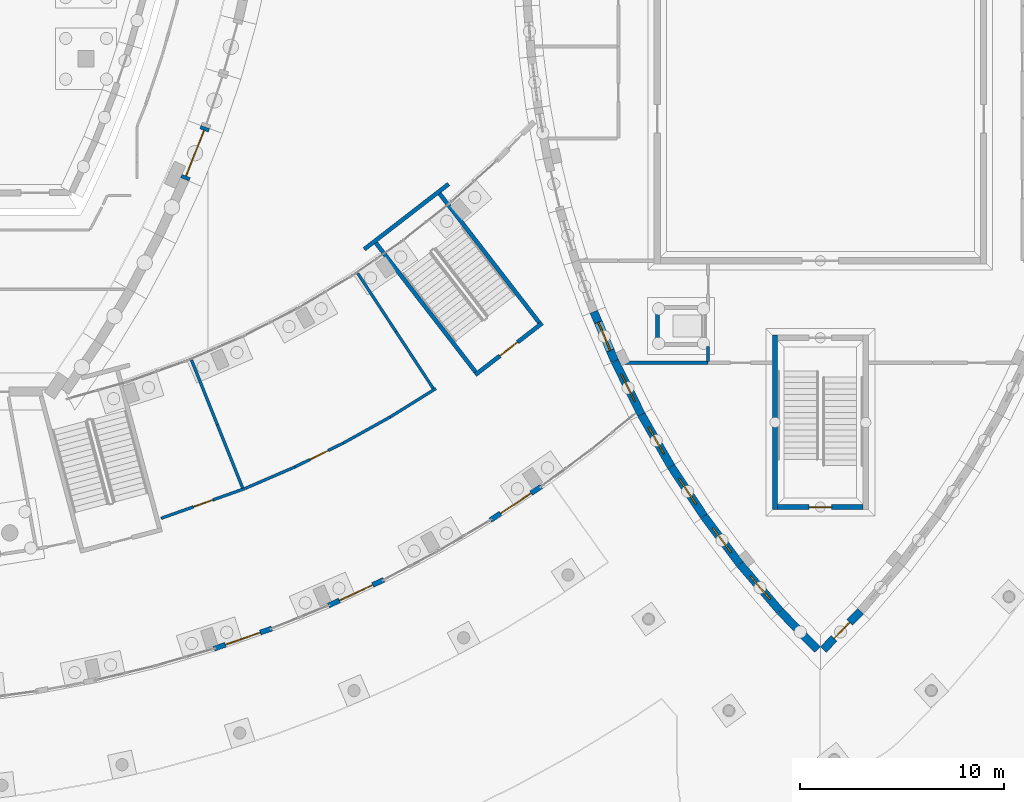
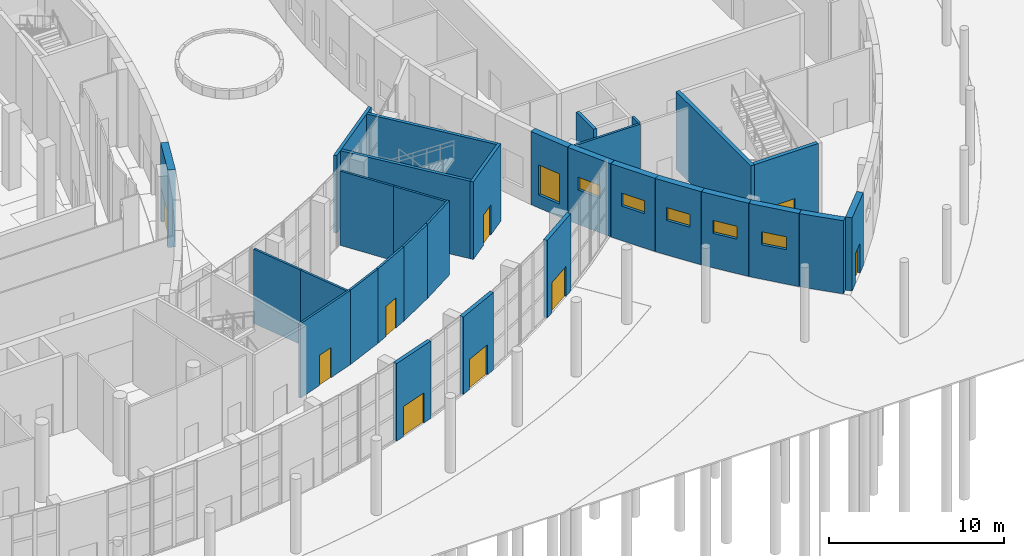
# One storey, part 49 of 82: 30 walls, 9 doors, 6 windows, 15 openings.
"""IFC4 building model written with IfcOpenShell, lengths in metres."""

from ifc_helpers import new_model, si_unit, direction, frame, frame_2d, origin, place, context, subcontext, project, spatial, rectangle, extrude, material, layer, layer_set, type_object, element, fill, save


model = new_model("IFC4")

# Units and contexts
model_context = context("Model", 3, precision=1e-05, world=origin(), true_north=direction((0.0, 1.0)))
body_context = subcontext(model_context, "Body", "Model", "MODEL_VIEW")
ifc_project = project(units=[si_unit("LENGTHUNIT", "METRE"), si_unit("AREAUNIT", "SQUARE_METRE"), si_unit("VOLUMEUNIT", "CUBIC_METRE"), si_unit("PLANEANGLEUNIT", "RADIAN"), si_unit("MASSUNIT", "GRAM", prefix="KILO")], contexts=[model_context])

# Site, building, storey
site_placement = place(None, origin())
site = spatial("IfcSite", under=ifc_project, at=site_placement, CompositionType="ELEMENT")
building_placement = place(site_placement, origin())
building = spatial("IfcBuilding", under=site, at=building_placement, Name="Tide Square Theatres", CompositionType="ELEMENT")
storey_placement = place(building_placement, origin())
storey = spatial("IfcBuildingStorey", under=building, at=storey_placement, Name="L00", CompositionType="ELEMENT", Elevation=0.0)

# Walls
ifc_material_1 = material(Name="Concrete masonry block", Category="masonry")
ifc_layer_1 = layer(ifc_material_1, 0.139892578125)
ifc_layer_set_1 = layer_set([ifc_layer_1], Name="Concrete masonry block")
wall_type_1 = type_object("IfcWallType", Name="Partition 140 thick", PredefinedType="PARTITIONING", material=ifc_layer_set_1)
wall_1_placement = place(storey_placement, frame((101.16650390625, 25.129150390625, 0.0), z_axis=(0.0, 0.0, 1.0), x_axis=(0.371736295653, -0.928338368535, 0.0)))
element("IfcWall", 1, at=wall_1_placement, inside=storey, type_object=wall_type_1, Name="Foyer room partition", PredefinedType="PARTITIONING", context=body_context, shape_type="SweptSolid", body=[
    extrude(rectangle(XDim=3.409912109375, YDim=0.139892578125, at=frame_2d((1.705078125, 0.0))), origin(), (0.0, 0.0, 1.0), 5.179931640625),
])
wall_2_placement = place(storey_placement, frame((102.43408203125, 21.963623046875, 0.0), z_axis=(0.0, 0.0, 1.0), x_axis=(0.371667085719, -0.928366079407, 0.0)))
element("IfcWall", 2, at=wall_2_placement, inside=storey, type_object=wall_type_1, Name="Foyer room partition", PredefinedType="PARTITIONING", context=body_context, shape_type="SweptSolid", body=[
    extrude(rectangle(XDim=3.35009765625, YDim=0.139892578125, at=frame_2d((1.675048828125, 0.0))), origin(), (0.0, 0.0, 1.0), 5.179931640625),
])
wall_3_placement = place(storey_placement, frame((109.3203125, 29.38037109375, 0.0), z_axis=(0.0, 0.0, 1.0), x_axis=(0.548356141439, -0.836244905602, 0.0)))
element("IfcWall", 3, at=wall_3_placement, inside=storey, type_object=wall_type_1, Name="Foyer room partition", PredefinedType="PARTITIONING", context=body_context, shape_type="SweptSolid", body=[
    extrude(rectangle(XDim=3.409912109375, YDim=0.139892578125, at=frame_2d((1.705078125, 0.0))), origin(), (0.0, 0.0, 1.0), 5.179931640625),
])
wall_4_placement = place(storey_placement, frame((111.190185546875, 26.52880859375, 0.0), z_axis=(0.0, 0.0, 1.0), x_axis=(0.548275916475, -0.836297506521, 0.0)))
element("IfcWall", 4, at=wall_4_placement, inside=storey, type_object=wall_type_1, Name="Foyer room partition", PredefinedType="PARTITIONING", context=body_context, shape_type="SweptSolid", body=[
    extrude(rectangle(XDim=3.349853515625, YDim=0.139892578125, at=frame_2d((1.6748046875, 0.0))), origin(), (0.0, 0.0, 1.0), 5.179931640625),
])

# Wall, opening, door
wall_5_placement = place(storey_placement, frame((99.67529296875, 17.37109375, 0.0), z_axis=(0.0, 0.0, 1.0), x_axis=(0.942230332433, 0.334965670844, 0.0)))
wall_5 = element("IfcWall", 5, at=wall_5_placement, inside=storey, type_object=wall_type_1, Name="Foyer room wall", PredefinedType="PARTITIONING", context=body_context, shape_type="SweptSolid", body=[
    extrude(rectangle(XDim=4.37890625, YDim=0.139892578125, at=frame_2d((2.189453125, 0.0))), origin(), (0.0, 0.0, 1.0), 5.179931640625),
])
opening_1_placement = place(wall_5_placement, frame((1.689453125, 0.0, 0.0)))
opening_1 = element("IfcOpeningElement", 6, at=opening_1_placement, cuts=wall_5, Name="Opening F00-25", PredefinedType="OPENING", context=body_context, shape_type="SweptSolid", body=[
    extrude(rectangle(XDim=1.0, YDim=2.10009765625, at=frame_2d((0.5, 1.050048828125))), frame((0.0, 0.079833984375, 0.0), z_axis=(0.0, -1.0, 0.0), x_axis=(1.0, 0.0, 0.0)), (0.0, 0.0, 1.0), 0.159912109375),
])
ifc_material_2 = material(Name="Hardwood timber", Category="wood")
door_type_1 = type_object("IfcDoorType", Name="Door 1000 x 2100 single leaf", OperationType="NOTDEFINED", PredefinedType="DOOR", material=ifc_material_2)
door_1_placement = place(opening_1_placement, origin())
door_1 = element("IfcDoor", 7, at=door_1_placement, inside=storey, type_object=door_type_1, Name="Cloakroom 2 door", OperationType="SINGLE_SWING_RIGHT", OverallHeight=2.10009765625, OverallWidth=1.0, PredefinedType="DOOR", context=body_context, shape_type="SweptSolid", body=[
    extrude(rectangle(XDim=1.0, YDim=2.10009765625, at=frame_2d((0.5, 1.050048828125))), frame((0.0, 0.02490234375, 0.0), z_axis=(0.0, -1.0, 0.0), x_axis=(1.0, 0.0, 0.0)), (0.0, 0.0, 1.0), 0.050048828125),
])
fill(opening_1, door_1)

# Wall
wall_6_placement = place(storey_placement, frame((103.81982421875, 18.845458984375, 0.0), z_axis=(0.0, 0.0, 1.0), x_axis=(0.917837897993, 0.396955404305, 0.0)))
element("IfcWall", 8, at=wall_6_placement, inside=storey, type_object=wall_type_1, Name="Foyer room wall", PredefinedType="PARTITIONING", context=body_context, shape_type="SweptSolid", body=[
    extrude(rectangle(XDim=2.637939453125, YDim=0.139892578125, at=frame_2d((1.31884765625, 0.0))), origin(), (0.0, 0.0, 1.0), 5.179931640625),
])

# Wall, opening, door
wall_7_placement = place(storey_placement, frame((106.240966796875, 19.892578125, 0.0), z_axis=(0.0, 0.0, 1.0), x_axis=(0.896985515314, 0.442059934077, 0.0)))
wall_7 = element("IfcWall", 9, at=wall_7_placement, inside=storey, type_object=wall_type_1, Name="Foyer room wall", PredefinedType="PARTITIONING", context=body_context, shape_type="SweptSolid", body=[
    extrude(rectangle(XDim=2.6376953125, YDim=0.139892578125, at=frame_2d((1.31884765625, 0.0))), origin(), (0.0, 0.0, 1.0), 5.179931640625),
])
opening_2_placement = place(wall_7_placement, frame((0.81884765625, 0.0, 0.0)))
opening_2 = element("IfcOpeningElement", 10, at=opening_2_placement, cuts=wall_7, Name="Opening F00-26", PredefinedType="OPENING", context=body_context, shape_type="SweptSolid", body=[
    extrude(rectangle(XDim=1.0, YDim=2.10009765625, at=frame_2d((0.5, 1.050048828125))), frame((0.0, 0.079833984375, 0.0), z_axis=(0.0, -1.0, 0.0), x_axis=(1.0, 0.0, 0.0)), (0.0, 0.0, 1.0), 0.159912109375),
])
door_2_placement = place(opening_2_placement, origin())
door_2 = element("IfcDoor", 11, at=door_2_placement, inside=storey, type_object=door_type_1, Name="Cafe door", OperationType="SINGLE_SWING_LEFT", OverallHeight=2.10009765625, OverallWidth=1.0, PredefinedType="DOOR", context=body_context, shape_type="SweptSolid", body=[
    extrude(rectangle(XDim=1.0, YDim=2.10009765625, at=frame_2d((0.5, 1.050048828125))), frame((0.0, 0.02490234375, 0.0), z_axis=(0.0, -1.0, 0.0), x_axis=(1.0, 0.0, 0.0)), (0.0, 0.0, 1.0), 0.050048828125),
])
fill(opening_2, door_2)

# Walls
wall_8_placement = place(storey_placement, frame((108.60693359375, 21.05859375, 0.0), z_axis=(0.0, 0.0, 1.0), x_axis=(0.87386462213, 0.486169334892, 0.0)))
element("IfcWall", 12, at=wall_8_placement, inside=storey, type_object=wall_type_1, Name="Foyer room wall", PredefinedType="PARTITIONING", context=body_context, shape_type="SweptSolid", body=[
    extrude(rectangle(XDim=2.637939453125, YDim=0.139892578125, at=frame_2d((1.31884765625, 0.0))), origin(), (0.0, 0.0, 1.0), 5.179931640625),
])
wall_9_placement = place(storey_placement, frame((110.912109375, 22.341064453125, 0.0), z_axis=(0.0, 0.0, 1.0), x_axis=(0.84858018524, 0.529066790885, 0.0)))
element("IfcWall", 13, at=wall_9_placement, inside=storey, type_object=wall_type_1, Name="Foyer room wall", PredefinedType="PARTITIONING", context=body_context, shape_type="SweptSolid", body=[
    extrude(rectangle(XDim=2.6376953125, YDim=0.139892578125, at=frame_2d((1.31884765625, 0.0))), origin(), (0.0, 0.0, 1.0), 5.179931640625),
])
ifc_material_3 = material(Name="Gypsum board on steel studs", Category="steel")
ifc_layer_2 = layer(ifc_material_3, 0.14990234375)
ifc_layer_set_2 = layer_set([ifc_layer_2], Name="Gypsum board on steel studs")
wall_type_2 = type_object("IfcWallType", Name="Partition 150 thick", PredefinedType="PARTITIONING", material=ifc_layer_set_2)
wall_10_placement = place(storey_placement, frame((126.5, 25.06005859375, 0.0), z_axis=(0.0, 0.0, 1.0), x_axis=(0.0, 1.0, 0.0)))
element("IfcWall", 14, at=wall_10_placement, inside=storey, type_object=wall_type_2, Name="Black Box Theatre partition", PredefinedType="PARTITIONING", context=body_context, shape_type="SweptSolid", body=[
    extrude(rectangle(XDim=0.739501953125, YDim=0.14990234375, at=frame_2d((0.36962890625, 0.0))), origin(), (0.0, 0.0, 1.0), 5.10009765625),
])
wall_11_placement = place(storey_placement, frame((126.47998046875, 25.0, 0.0), z_axis=(0.0, 0.0, 1.0), x_axis=(-1.0, 0.0, 0.0)))
element("IfcWall", 15, at=wall_11_placement, inside=storey, type_object=wall_type_2, Name="Black Box Theatre partition", PredefinedType="PARTITIONING", context=body_context, shape_type="SweptSolid", body=[
    extrude(rectangle(XDim=4.27587890625, YDim=0.14990234375, at=frame_2d((2.137939453125, 0.0))), origin(), (0.0, 0.0, 1.0), 5.10009765625),
])

# Wall, opening, door
ifc_material_4 = material(Name="Concrete C40", Category="concrete")
ifc_layer_3 = layer(ifc_material_4, 0.39990234375)
ifc_layer_set_3 = layer_set([ifc_layer_3], Name="Concrete C40")
wall_type_3 = type_object("IfcWallType", Name="RC curved wall 400 thick", PredefinedType="SOLIDWALL", material=ifc_layer_set_3)
wall_12_placement = place(storey_placement, frame((132.1435546875, 10.935302734375, 0.0), z_axis=(0.0, 0.0, 1.0), x_axis=(0.696353968975, 0.71769850905, 0.0)))
wall_12 = element("IfcWall", 16, at=wall_12_placement, inside=storey, type_object=wall_type_3, Name="Black Box Theatre perimeter wall", PredefinedType="SOLIDWALL", context=body_context, shape_type="SweptSolid", body=[
    extrude(rectangle(XDim=2.619384765625, YDim=0.39990234375, at=frame_2d((1.3095703125, 0.0))), origin(), (0.0, 0.0, 1.0), 5.10009765625),
])
opening_3_placement = place(wall_12_placement, frame((0.759765625, 0.0, 0.0)))
opening_3 = element("IfcOpeningElement", 17, at=opening_3_placement, cuts=wall_12, Name="Opening B00-04", PredefinedType="OPENING", context=body_context, shape_type="SweptSolid", body=[
    extrude(rectangle(XDim=1.10009765625, YDim=2.10009765625, at=frame_2d((0.550048828125, 1.050048828125))), frame((0.0, 0.2099609375, 0.0), z_axis=(0.0, -1.0, 0.0), x_axis=(1.0, 0.0, 0.0)), (0.0, 0.0, 1.0), 0.419921875),
])
ifc_material_5 = material(Name="Painted steel", Category="steel")
door_type_2 = type_object("IfcDoorType", Name="Door 1100 x 2100 single leaf", OperationType="NOTDEFINED", PredefinedType="DOOR", material=ifc_material_5)
door_3_placement = place(opening_3_placement, frame((1.10009765625, 0.0, 0.0), z_axis=(0.0, 0.0, 1.0), x_axis=(-1.0, 0.0, 0.0)))
door_3 = element("IfcDoor", 18, at=door_3_placement, inside=storey, type_object=door_type_2, Name="Black Box Theatre exit passage door 2", OperationType="SINGLE_SWING_LEFT", OverallHeight=2.10009765625, OverallWidth=1.10009765625, PredefinedType="DOOR", context=body_context, shape_type="SweptSolid", body=[
    extrude(rectangle(XDim=1.10009765625, YDim=2.10009765625, at=frame_2d((0.550048828125, 1.050048828125))), frame((0.0, 0.02490234375, 0.0), z_axis=(0.0, -1.0, 0.0), x_axis=(1.0, 0.0, 0.0)), (0.0, 0.0, 1.0), 0.050048828125),
])
fill(opening_3, door_3)

# Wall, opening, window
wall_13_placement = place(storey_placement, frame((120.893310546875, 27.49609375, 0.0), z_axis=(0.0, 0.0, 1.0), x_axis=(0.391529943778, -0.920165367271, 0.0)))
wall_13 = element("IfcWall", 19, at=wall_13_placement, inside=storey, type_object=wall_type_3, Name="Black Box Theatre perimeter wall", PredefinedType="SOLIDWALL", context=body_context, shape_type="SweptSolid", body=[
    extrude(rectangle(XDim=2.61572265625, YDim=0.39990234375, at=frame_2d((1.307861328125, 0.0))), origin(), (0.0, 0.0, 1.0), 5.10009765625),
])
opening_4_placement = place(wall_13_placement, frame((0.55810546875, 0.0, 0.89990234375)))
opening_4 = element("IfcOpeningElement", 20, at=opening_4_placement, cuts=wall_13, Name="Opening WN-01", PredefinedType="OPENING", context=body_context, shape_type="SweptSolid", body=[
    extrude(rectangle(XDim=1.5, YDim=2.10009765625, at=frame_2d((0.75, 1.050048828125))), frame((0.0, 0.2099609375, 0.0), z_axis=(0.0, -1.0, 0.0), x_axis=(1.0, 0.0, 0.0)), (0.0, 0.0, 1.0), 0.419921875),
])
ifc_material_6 = material(Name="Aluminium with laminated glass", Category="aluminium")
window_type_1 = type_object("IfcWindowType", Name="Window 1500 x 2100", PartitioningType="SINGLE_PANEL", PredefinedType="WINDOW", material=ifc_material_6)
window_1_placement = place(opening_4_placement, origin())
window_1 = element("IfcWindow", 21, at=window_1_placement, inside=storey, type_object=window_type_1, Name="Black Box Theatre Box Office window", OverallHeight=2.10009765625, OverallWidth=1.5, PartitioningType="SINGLE_PANEL", PredefinedType="WINDOW", context=body_context, shape_type="SweptSolid", body=[
    extrude(rectangle(XDim=1.5, YDim=2.10009765625, at=frame_2d((0.75, 1.050048828125))), frame((0.0, 0.030029296875, 0.0), z_axis=(0.0, -1.0, 0.0), x_axis=(1.0, 0.0, 0.0)), (0.0, 0.0, 1.0), 0.06005859375),
])
fill(opening_4, window_1)

wall_14_placement = place(storey_placement, frame((121.92236328125, 25.078369140625, 0.0), z_axis=(0.0, 0.0, 1.0), x_axis=(0.44433489597, -0.895860759395, 0.0)))
wall_14 = element("IfcWall", 22, at=wall_14_placement, inside=storey, type_object=wall_type_3, Name="Black Box Theatre perimeter wall", PredefinedType="SOLIDWALL", context=body_context, shape_type="SweptSolid", body=[
    extrude(rectangle(XDim=2.919677734375, YDim=0.39990234375, at=frame_2d((1.4599609375, 0.0))), origin(), (0.0, 0.0, 1.0), 5.10009765625),
])
opening_5_placement = place(wall_14_placement, frame((0.7099609375, 0.0, 2.39990234375)))
opening_5 = element("IfcOpeningElement", 23, at=opening_5_placement, cuts=wall_14, Name="Opening WN-04", PredefinedType="OPENING", context=body_context, shape_type="SweptSolid", body=[
    extrude(rectangle(XDim=1.5, YDim=0.89990234375, at=frame_2d((0.75, 0.449951171875))), frame((0.0, 0.2099609375, 0.0), z_axis=(0.0, -1.0, 0.0), x_axis=(1.0, 0.0, 0.0)), (0.0, 0.0, 1.0), 0.419921875),
])
ifc_material_7 = material(Name="Aluminium with laminated glass", Category="aluminium")
window_type_2 = type_object("IfcWindowType", Name="Window 1500 x 900", PartitioningType="SINGLE_PANEL", PredefinedType="WINDOW", material=ifc_material_7)
window_2_placement = place(opening_5_placement, origin())
window_2 = element("IfcWindow", 24, at=window_2_placement, inside=storey, type_object=window_type_2, Name="Black Box Theatre Seating Store window", OverallHeight=0.89990234375, OverallWidth=1.5, PartitioningType="SINGLE_PANEL", PredefinedType="WINDOW", context=body_context, shape_type="SweptSolid", body=[
    extrude(rectangle(XDim=1.5, YDim=0.89990234375, at=frame_2d((0.75, 0.449951171875))), frame((0.0, 0.030029296875, 0.0), z_axis=(0.0, -1.0, 0.0), x_axis=(1.0, 0.0, 0.0)), (0.0, 0.0, 1.0), 0.06005859375),
])
fill(opening_5, window_2)

wall_15_placement = place(storey_placement, frame((123.2255859375, 22.451904296875, 0.0), z_axis=(0.0, 0.0, 1.0), x_axis=(0.498406705095, -0.866943340892, 0.0)))
wall_15 = element("IfcWall", 25, at=wall_15_placement, inside=storey, type_object=wall_type_3, Name="Black Box Theatre perimeter wall", PredefinedType="SOLIDWALL", context=body_context, shape_type="SweptSolid", body=[
    extrude(rectangle(XDim=2.91943359375, YDim=0.39990234375, at=frame_2d((1.459716796875, 0.0))), origin(), (0.0, 0.0, 1.0), 5.10009765625),
])
opening_6_placement = place(wall_15_placement, frame((0.709716796875, 0.0, 2.39990234375)))
opening_6 = element("IfcOpeningElement", 26, at=opening_6_placement, cuts=wall_15, Name="Opening WN-04", PredefinedType="OPENING", context=body_context, shape_type="SweptSolid", body=[
    extrude(rectangle(XDim=1.5, YDim=0.89990234375, at=frame_2d((0.75, 0.449951171875))), frame((0.0, 0.2099609375, 0.0), z_axis=(0.0, -1.0, 0.0), x_axis=(1.0, 0.0, 0.0)), (0.0, 0.0, 1.0), 0.419921875),
])
window_3_placement = place(opening_6_placement, origin())
window_3 = element("IfcWindow", 27, at=window_3_placement, inside=storey, type_object=window_type_2, Name="Black Box Theatre Seating Store window", OverallHeight=0.89990234375, OverallWidth=1.5, PartitioningType="SINGLE_PANEL", PredefinedType="WINDOW", context=body_context, shape_type="SweptSolid", body=[
    extrude(rectangle(XDim=1.5, YDim=0.89990234375, at=frame_2d((0.75, 0.449951171875))), frame((0.0, 0.030029296875, 0.0), z_axis=(0.0, -1.0, 0.0), x_axis=(1.0, 0.0, 0.0)), (0.0, 0.0, 1.0), 0.06005859375),
])
fill(opening_6, window_3)

wall_16_placement = place(storey_placement, frame((124.68701171875, 19.91064453125, 0.0), z_axis=(0.0, 0.0, 1.0), x_axis=(0.550602185206, -0.834767772285, 0.0)))
wall_16 = element("IfcWall", 28, at=wall_16_placement, inside=storey, type_object=wall_type_3, Name="Black Box Theatre perimeter wall", PredefinedType="SOLIDWALL", context=body_context, shape_type="SweptSolid", body=[
    extrude(rectangle(XDim=2.91943359375, YDim=0.39990234375, at=frame_2d((1.459716796875, 0.0))), origin(), (0.0, 0.0, 1.0), 5.10009765625),
])
opening_7_placement = place(wall_16_placement, frame((0.709716796875, 0.0, 2.39990234375)))
opening_7 = element("IfcOpeningElement", 29, at=opening_7_placement, cuts=wall_16, Name="Opening WN-04", PredefinedType="OPENING", context=body_context, shape_type="SweptSolid", body=[
    extrude(rectangle(XDim=1.5, YDim=0.89990234375, at=frame_2d((0.75, 0.449951171875))), frame((0.0, 0.2099609375, 0.0), z_axis=(0.0, -1.0, 0.0), x_axis=(1.0, 0.0, 0.0)), (0.0, 0.0, 1.0), 0.419921875),
])
window_4_placement = place(opening_7_placement, origin())
window_4 = element("IfcWindow", 30, at=window_4_placement, inside=storey, type_object=window_type_2, Name="Black Box Theatre Seating Store window", OverallHeight=0.89990234375, OverallWidth=1.5, PartitioningType="SINGLE_PANEL", PredefinedType="WINDOW", context=body_context, shape_type="SweptSolid", body=[
    extrude(rectangle(XDim=1.5, YDim=0.89990234375, at=frame_2d((0.75, 0.449951171875))), frame((0.0, 0.030029296875, 0.0), z_axis=(0.0, -1.0, 0.0), x_axis=(1.0, 0.0, 0.0)), (0.0, 0.0, 1.0), 0.06005859375),
])
fill(opening_7, window_4)

wall_17_placement = place(storey_placement, frame((126.301513671875, 17.463623046875, 0.0), z_axis=(0.0, 0.0, 1.0), x_axis=(0.600829330321, -0.799377330068, 0.0)))
wall_17 = element("IfcWall", 31, at=wall_17_placement, inside=storey, type_object=wall_type_3, Name="Black Box Theatre perimeter wall", PredefinedType="SOLIDWALL", context=body_context, shape_type="SweptSolid", body=[
    extrude(rectangle(XDim=2.919189453125, YDim=0.39990234375, at=frame_2d((1.45947265625, 0.0))), origin(), (0.0, 0.0, 1.0), 5.10009765625),
])
opening_8_placement = place(wall_17_placement, frame((0.709716796875, 0.0, 2.39990234375)))
opening_8 = element("IfcOpeningElement", 32, at=opening_8_placement, cuts=wall_17, Name="Opening WN-04", PredefinedType="OPENING", context=body_context, shape_type="SweptSolid", body=[
    extrude(rectangle(XDim=1.5, YDim=0.89990234375, at=frame_2d((0.75, 0.449951171875))), frame((0.0, 0.2099609375, 0.0), z_axis=(0.0, -1.0, 0.0), x_axis=(1.0, 0.0, 0.0)), (0.0, 0.0, 1.0), 0.419921875),
])
window_5_placement = place(opening_8_placement, origin())
window_5 = element("IfcWindow", 33, at=window_5_placement, inside=storey, type_object=window_type_2, Name="Black Box Theatre Seating Store window", OverallHeight=0.89990234375, OverallWidth=1.5, PartitioningType="SINGLE_PANEL", PredefinedType="WINDOW", context=body_context, shape_type="SweptSolid", body=[
    extrude(rectangle(XDim=1.5, YDim=0.89990234375, at=frame_2d((0.75, 0.449951171875))), frame((0.0, 0.030029296875, 0.0), z_axis=(0.0, -1.0, 0.0), x_axis=(1.0, 0.0, 0.0)), (0.0, 0.0, 1.0), 0.06005859375),
])
fill(opening_8, window_5)

wall_18_placement = place(storey_placement, frame((128.06298828125, 15.120361328125, 0.0), z_axis=(0.0, 0.0, 1.0), x_axis=(0.649458578854, -0.760396971557, 0.0)))
wall_18 = element("IfcWall", 34, at=wall_18_placement, inside=storey, type_object=wall_type_3, Name="Black Box Theatre perimeter wall", PredefinedType="SOLIDWALL", context=body_context, shape_type="SweptSolid", body=[
    extrude(rectangle(XDim=3.019287109375, YDim=0.39990234375, at=frame_2d((1.509765625, 0.0))), origin(), (0.0, 0.0, 1.0), 5.10009765625),
])
opening_9_placement = place(wall_18_placement, frame((0.759521484375, 0.0, 2.39990234375)))
opening_9 = element("IfcOpeningElement", 35, at=opening_9_placement, cuts=wall_18, Name="Opening WN-04", PredefinedType="OPENING", context=body_context, shape_type="SweptSolid", body=[
    extrude(rectangle(XDim=1.5, YDim=0.89990234375, at=frame_2d((0.75, 0.449951171875))), frame((0.0, 0.2099609375, 0.0), z_axis=(0.0, -1.0, 0.0), x_axis=(1.0, 0.0, 0.0)), (0.0, 0.0, 1.0), 0.419921875),
])
window_6_placement = place(opening_9_placement, origin())
window_6 = element("IfcWindow", 36, at=window_6_placement, inside=storey, type_object=window_type_2, Name="Black Box Theatre Seating Store window", OverallHeight=0.89990234375, OverallWidth=1.5, PartitioningType="SINGLE_PANEL", PredefinedType="WINDOW", context=body_context, shape_type="SweptSolid", body=[
    extrude(rectangle(XDim=1.5, YDim=0.89990234375, at=frame_2d((0.75, 0.449951171875))), frame((0.0, 0.030029296875, 0.0), z_axis=(0.0, -1.0, 0.0), x_axis=(1.0, 0.0, 0.0)), (0.0, 0.0, 1.0), 0.06005859375),
])
fill(opening_9, window_6)

# Wall
wall_19_placement = place(storey_placement, frame((130.032470703125, 12.815185546875, 0.0), z_axis=(0.0, 0.0, 1.0), x_axis=(0.696353968975, -0.71769850905, 0.0)))
element("IfcWall", 37, at=wall_19_placement, inside=storey, type_object=wall_type_3, Name="Black Box Theatre perimeter wall", PredefinedType="SOLIDWALL", context=body_context, shape_type="SweptSolid", body=[
    extrude(rectangle(XDim=2.619384765625, YDim=0.39990234375, at=frame_2d((1.3095703125, 0.0))), origin(), (0.0, 0.0, 1.0), 5.10009765625),
])

# Wall, opening, door
ifc_material_8 = material(Name="Concrete C40", Category="concrete")
ifc_layer_4 = layer(ifc_material_8, 0.449951171875)
ifc_layer_set_4 = layer_set([ifc_layer_4], Name="Concrete C40")
wall_type_4 = type_object("IfcWallType", Name="RC curved wall 450 thick", PredefinedType="SOLIDWALL", material=ifc_layer_set_4)
wall_20_placement = place(storey_placement, frame((100.837158203125, 33.9931640625, 0.0), z_axis=(0.0, 0.0, 1.0), x_axis=(0.366920100653, 0.930252460215, 0.0)))
wall_20 = element("IfcWall", 38, at=wall_20_placement, inside=storey, type_object=wall_type_4, Name="Main Theatre perimeter wall", PredefinedType="SOLIDWALL", context=body_context, shape_type="SweptSolid", body=[
    extrude(rectangle(XDim=2.751953125, YDim=0.449951171875, at=frame_2d((1.3759765625, 0.0))), origin(), (0.0, 0.0, 1.0), 5.39990234375),
])
opening_10_placement = place(wall_20_placement, frame((0.176025390625, 0.0, 0.0)))
opening_10 = element("IfcOpeningElement", 39, at=opening_10_placement, cuts=wall_20, Name="Opening M00-14", PredefinedType="OPENING", context=body_context, shape_type="SweptSolid", body=[
    extrude(rectangle(XDim=2.39990234375, YDim=2.39990234375, at=frame_2d((1.199951171875, 1.199951171875))), frame((0.0, 0.23486328125, 0.0), z_axis=(0.0, -1.0, 0.0), x_axis=(1.0, 0.0, 0.0)), (0.0, 0.0, 1.0), 0.469970703125),
])
ifc_material_9 = material(Name="Hardwood timber", Category="wood")
door_type_3 = type_object("IfcDoorType", Name="Door 2400 x 2400 double leaf", OperationType="DOUBLE_DOOR_SINGLE_SWING", PredefinedType="DOOR", material=ifc_material_9)
door_4_placement = place(opening_10_placement, frame((2.39990234375, 0.0, 0.0), z_axis=(0.0, 0.0, 1.0), x_axis=(-1.0, 0.0, 0.0)))
door_4 = element("IfcDoor", 40, at=door_4_placement, inside=storey, type_object=door_type_3, Name="Main Theatre exit doors", OperationType="DOUBLE_DOOR_SINGLE_SWING", OverallHeight=2.39990234375, OverallWidth=2.39990234375, PredefinedType="DOOR", context=body_context, shape_type="SweptSolid", body=[
    extrude(rectangle(XDim=2.39990234375, YDim=2.39990234375, at=frame_2d((1.199951171875, 1.199951171875))), frame((0.0, 0.02490234375, 0.0), z_axis=(0.0, -1.0, 0.0), x_axis=(1.0, 0.0, 0.0)), (0.0, 0.0, 1.0), 0.050048828125),
])
fill(opening_10, door_4)

# Wall
ifc_material_10 = material(Name="Concrete C40", Category="concrete")
ifc_layer_5 = layer(ifc_material_10, 0.199951171875)
ifc_layer_set_5 = layer_set([ifc_layer_5], Name="Concrete C40")
wall_type_5 = type_object("IfcWallType", Name="RC shear wall 200 thick", PredefinedType="SHEAR", material=ifc_layer_set_5)
wall_21_placement = place(storey_placement, frame((124.02001953125, 27.800048828125, -1.199951171875), z_axis=(0.0, 0.0, 1.0), x_axis=(0.0, -1.0, 0.0)))
element("IfcWall", 41, at=wall_21_placement, inside=storey, type_object=wall_type_5, Name="Black Box Theatre lift shaft wall", PredefinedType="SHEAR", context=body_context, shape_type="SweptSolid", body=[
    extrude(rectangle(XDim=2.0, YDim=0.199951171875, at=frame_2d((1.0, 0.0))), origin(), (0.0, 0.0, 1.0), 6.300048828125),
])

# Wall, opening, door
wall_22_placement = place(storey_placement, frame((118.36376953125, 26.94287109375, 0.0), z_axis=(0.0, 0.0, 1.0), x_axis=(-0.791154317501, -0.611616584062, 0.0)))
wall_22 = element("IfcWall", 42, at=wall_22_placement, inside=storey, type_object=wall_type_5, Name="Exit stair F2 wall", PredefinedType="SHEAR", context=body_context, shape_type="SweptSolid", body=[
    extrude(rectangle(XDim=4.150146484375, YDim=0.199951171875, at=frame_2d((2.0751953125, 0.0))), origin(), (0.0, 0.0, 1.0), 5.39990234375),
])
opening_11_placement = place(wall_22_placement, frame((1.52490234375, 0.0, 0.0)))
opening_11 = element("IfcOpeningElement", 43, at=opening_11_placement, cuts=wall_22, Name="Opening F00-14", PredefinedType="OPENING", context=body_context, shape_type="SweptSolid", body=[
    extrude(rectangle(XDim=1.10009765625, YDim=2.10009765625, at=frame_2d((0.550048828125, 1.050048828125))), frame((0.0, 0.10986328125, 0.0), z_axis=(0.0, -1.0, 0.0), x_axis=(1.0, 0.0, 0.0)), (0.0, 0.0, 1.0), 0.219970703125),
])
door_5_placement = place(opening_11_placement, origin())
door_5 = element("IfcDoor", 44, at=door_5_placement, inside=storey, type_object=door_type_2, Name="Exit stair F2 door", OperationType="SINGLE_SWING_LEFT", OverallHeight=2.10009765625, OverallWidth=1.10009765625, PredefinedType="DOOR", context=body_context, shape_type="SweptSolid", body=[
    extrude(rectangle(XDim=1.10009765625, YDim=2.10009765625, at=frame_2d((0.550048828125, 1.050048828125))), frame((0.0, 0.02490234375, 0.0), z_axis=(0.0, -1.0, 0.0), x_axis=(1.0, 0.0, 0.0)), (0.0, 0.0, 1.0), 0.050048828125),
])
fill(opening_11, door_5)

# Walls
wall_23_placement = place(storey_placement, frame((113.775634765625, 33.760498046875, 0.0), z_axis=(0.0, 0.0, 1.0), x_axis=(-0.791153575139, -0.61161754434, 0.0)))
element("IfcWall", 45, at=wall_23_placement, inside=storey, type_object=wall_type_5, Name="Exit stair F2 wall", PredefinedType="SHEAR", context=body_context, shape_type="SweptSolid", body=[
    extrude(rectangle(XDim=5.22998046875, YDim=0.199951171875, at=frame_2d((2.614990234375, 0.0))), origin(), (0.0, 0.0, 1.0), 5.39990234375),
])
for number, where, z_axis, x_axis, name in (
    (46, (118.223388671875, 26.960693359375, 0.0), (0.0, 0.0, 1.0), (-0.61163509056, 0.791140010362, 0.0), "Exit stair F2 wall"),
    (47, (115.098388671875, 24.544921875, 0.0), (0.0, 0.0, 1.0), (-0.61163509056, 0.791140010362, 0.0), "Exit stair F2 wall"),
):
    element("IfcWall", number, at=place(storey_placement, frame(where, z_axis=z_axis, x_axis=x_axis)), inside=storey, type_object=wall_type_5, Name=name, PredefinedType="SHEAR", context=body_context, shape_type="SweptSolid", body=[
        extrude(rectangle(XDim=8.0, YDim=0.199951171875, at=frame_2d((4.0, 0.0))), origin(), (0.0, 0.0, 1.0), 5.39990234375),
    ])
ifc_material_11 = material(Name="Concrete C40", Category="concrete")
ifc_layer_6 = layer(ifc_material_11, 0.25)
ifc_layer_set_6 = layer_set([ifc_layer_6], Name="Concrete C40")
wall_type_6 = type_object("IfcWallType", Name="RC shear wall 250 thick", PredefinedType="SHEAR", material=ifc_layer_set_6)
wall_24_placement = place(storey_placement, frame((129.77490234375, 26.35009765625, 0.0), z_axis=(0.0, 0.0, 1.0), x_axis=(0.0, -1.0, 0.0)))
element("IfcWall", 48, at=wall_24_placement, inside=storey, type_object=wall_type_6, Name="Black Box Theatre Stair B2 shaft wall", PredefinedType="SHEAR", context=body_context, shape_type="SweptSolid", body=[
    extrude(rectangle(XDim=8.550048828125, YDim=0.25, at=frame_2d((4.27490234375, 0.0))), origin(), (0.0, 0.0, 1.0), 5.39990234375),
])

# Wall, opening, door
wall_25_placement = place(storey_placement, frame((134.10009765625, 17.925048828125, 0.0), z_axis=(0.0, 0.0, 1.0), x_axis=(-1.0, 0.0, 0.0)))
wall_25 = element("IfcWall", 49, at=wall_25_placement, inside=storey, type_object=wall_type_6, Name="Black Box Theatre Stair B2 shaft wall", PredefinedType="SHEAR", context=body_context, shape_type="SweptSolid", body=[
    extrude(rectangle(XDim=4.2001953125, YDim=0.25, at=frame_2d((2.10009765625, 0.0))), origin(), (0.0, 0.0, 1.0), 5.39990234375),
])
opening_12_placement = place(wall_25_placement, frame((1.550048828125, 0.0, 0.0)))
opening_12 = element("IfcOpeningElement", 50, at=opening_12_placement, cuts=wall_25, Name="Opening B00-25", PredefinedType="OPENING", context=body_context, shape_type="SweptSolid", body=[
    extrude(rectangle(XDim=1.10009765625, YDim=2.10009765625, at=frame_2d((0.550048828125, 1.050048828125))), frame((0.0, 0.135009765625, 0.0), z_axis=(0.0, -1.0, 0.0), x_axis=(1.0, 0.0, 0.0)), (0.0, 0.0, 1.0), 0.27001953125),
])
door_6_placement = place(opening_12_placement, origin())
door_6 = element("IfcDoor", 51, at=door_6_placement, inside=storey, type_object=door_type_2, Name="Black Box Theatre stair exit door", OperationType="SINGLE_SWING_RIGHT", OverallHeight=2.10009765625, OverallWidth=1.10009765625, PredefinedType="DOOR", context=body_context, shape_type="SweptSolid", body=[
    extrude(rectangle(XDim=1.10009765625, YDim=2.10009765625, at=frame_2d((0.550048828125, 1.050048828125))), frame((0.0, 0.02490234375, 0.0), z_axis=(0.0, -1.0, 0.0), x_axis=(1.0, 0.0, 0.0)), (0.0, 0.0, 1.0), 0.050048828125),
])
fill(opening_12, door_6)

wall_26_placement = place(storey_placement, frame((102.273193359375, 10.981689453125, 0.0), z_axis=(0.0, 0.0, 1.0), x_axis=(0.944369202368, 0.328887229334, 0.0)))
wall_26 = element("IfcWall", 52, at=wall_26_placement, inside=storey, type_object=wall_type_6, Name="Foyer entrance pier wall", PredefinedType="SHEAR", context=body_context, shape_type="SweptSolid", body=[
    extrude(rectangle(XDim=2.99609375, YDim=0.25, at=frame_2d((1.498046875, 0.0))), origin(), (0.0, 0.0, 1.0), 5.39990234375),
])
opening_13_placement = place(wall_26_placement, frame((0.597900390625, 0.0, 0.0)))
opening_13 = element("IfcOpeningElement", 53, at=opening_13_placement, cuts=wall_26, Name="Opening F00-08", PredefinedType="OPENING", context=body_context, shape_type="SweptSolid", body=[
    extrude(rectangle(XDim=1.800048828125, YDim=2.10009765625, at=frame_2d((0.89990234375, 1.050048828125))), frame((0.0, 0.135009765625, 0.0), z_axis=(0.0, -1.0, 0.0), x_axis=(1.0, 0.0, 0.0)), (0.0, 0.0, 1.0), 0.27001953125),
])
ifc_material_12 = material(Name="Hardwood timber", Category="wood")
door_type_4 = type_object("IfcDoorType", Name="Door 1800 x 2100 double leaf", OperationType="DOUBLE_DOOR_SINGLE_SWING", PredefinedType="DOOR", material=ifc_material_12)
door_7_placement = place(opening_13_placement, frame((1.800048828125, 0.0, 0.0), z_axis=(0.0, 0.0, 1.0), x_axis=(-1.0, 0.0, 0.0)))
door_7 = element("IfcDoor", 54, at=door_7_placement, inside=storey, type_object=door_type_4, Name="Foyer entrance door", OperationType="DOUBLE_DOOR_SINGLE_SWING", OverallHeight=2.10009765625, OverallWidth=1.800048828125, PredefinedType="DOOR", context=body_context, shape_type="SweptSolid", body=[
    extrude(rectangle(XDim=1.800048828125, YDim=2.10009765625, at=frame_2d((0.89990234375, 1.050048828125))), frame((0.0, 0.02490234375, 0.0), z_axis=(0.0, -1.0, 0.0), x_axis=(1.0, 0.0, 0.0)), (0.0, 0.0, 1.0), 0.050048828125),
])
fill(opening_13, door_7)

wall_27_placement = place(storey_placement, frame((107.879150390625, 13.0927734375, 0.0), z_axis=(0.0, 0.0, 1.0), x_axis=(0.906763139796, 0.421640377937, 0.0)))
wall_27 = element("IfcWall", 55, at=wall_27_placement, inside=storey, type_object=wall_type_6, Name="Foyer entrance pier wall", PredefinedType="SHEAR", context=body_context, shape_type="SweptSolid", body=[
    extrude(rectangle(XDim=2.995849609375, YDim=0.25, at=frame_2d((1.498046875, 0.0))), origin(), (0.0, 0.0, 1.0), 5.39990234375),
])
opening_14_placement = place(wall_27_placement, frame((0.597900390625, 0.0, 0.0)))
opening_14 = element("IfcOpeningElement", 56, at=opening_14_placement, cuts=wall_27, Name="Opening F00-09", PredefinedType="OPENING", context=body_context, shape_type="SweptSolid", body=[
    extrude(rectangle(XDim=1.800048828125, YDim=2.10009765625, at=frame_2d((0.89990234375, 1.050048828125))), frame((0.0, 0.135009765625, 0.0), z_axis=(0.0, -1.0, 0.0), x_axis=(1.0, 0.0, 0.0)), (0.0, 0.0, 1.0), 0.27001953125),
])
door_8_placement = place(opening_14_placement, frame((1.800048828125, 0.0, 0.0), z_axis=(0.0, 0.0, 1.0), x_axis=(-1.0, 0.0, 0.0)))
door_8 = element("IfcDoor", 57, at=door_8_placement, inside=storey, type_object=door_type_4, Name="Foyer entrance door", OperationType="DOUBLE_DOOR_SINGLE_SWING", OverallHeight=2.10009765625, OverallWidth=1.800048828125, PredefinedType="DOOR", context=body_context, shape_type="SweptSolid", body=[
    extrude(rectangle(XDim=1.800048828125, YDim=2.10009765625, at=frame_2d((0.89990234375, 1.050048828125))), frame((0.0, 0.02490234375, 0.0), z_axis=(0.0, -1.0, 0.0), x_axis=(1.0, 0.0, 0.0)), (0.0, 0.0, 1.0), 0.050048828125),
])
fill(opening_14, door_8)

wall_28_placement = place(storey_placement, frame((115.822509765625, 17.28173828125, 0.0), z_axis=(0.0, 0.0, 1.0), x_axis=(0.83348910578, 0.552535890732, 0.0)))
wall_28 = element("IfcWall", 58, at=wall_28_placement, inside=storey, type_object=wall_type_6, Name="Foyer entrance pier wall", PredefinedType="SHEAR", context=body_context, shape_type="SweptSolid", body=[
    extrude(rectangle(XDim=2.996337890625, YDim=0.25, at=frame_2d((1.498046875, 0.0))), origin(), (0.0, 0.0, 1.0), 5.39990234375),
])
opening_15_placement = place(wall_28_placement, frame((0.597900390625, 0.0, 0.0)))
opening_15 = element("IfcOpeningElement", 59, at=opening_15_placement, cuts=wall_28, Name="Opening F00-10", PredefinedType="OPENING", context=body_context, shape_type="SweptSolid", body=[
    extrude(rectangle(XDim=1.800048828125, YDim=2.10009765625, at=frame_2d((0.89990234375, 1.050048828125))), frame((0.0, 0.135009765625, 0.0), z_axis=(0.0, -1.0, 0.0), x_axis=(1.0, 0.0, 0.0)), (0.0, 0.0, 1.0), 0.27001953125),
])
door_9_placement = place(opening_15_placement, frame((1.800048828125, 0.0, 0.0), z_axis=(0.0, 0.0, 1.0), x_axis=(-1.0, 0.0, 0.0)))
door_9 = element("IfcDoor", 60, at=door_9_placement, inside=storey, type_object=door_type_4, Name="Foyer entrance door", OperationType="DOUBLE_DOOR_SINGLE_SWING", OverallHeight=2.10009765625, OverallWidth=1.800048828125, PredefinedType="DOOR", context=body_context, shape_type="SweptSolid", body=[
    extrude(rectangle(XDim=1.800048828125, YDim=2.10009765625, at=frame_2d((0.89990234375, 1.050048828125))), frame((0.0, 0.02490234375, 0.0), z_axis=(0.0, -1.0, 0.0), x_axis=(1.0, 0.0, 0.0)), (0.0, 0.0, 1.0), 0.050048828125),
])
fill(opening_15, door_9)

save(model, "model.ifc")
